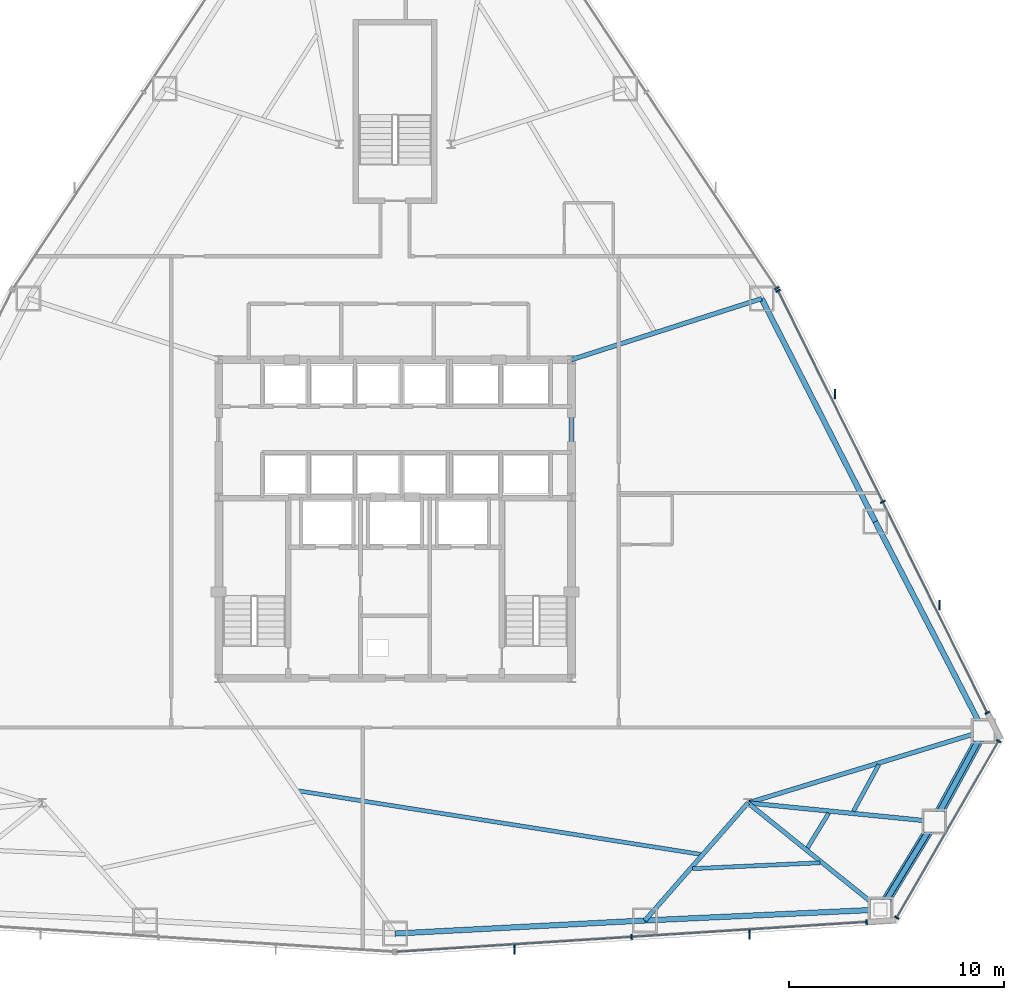
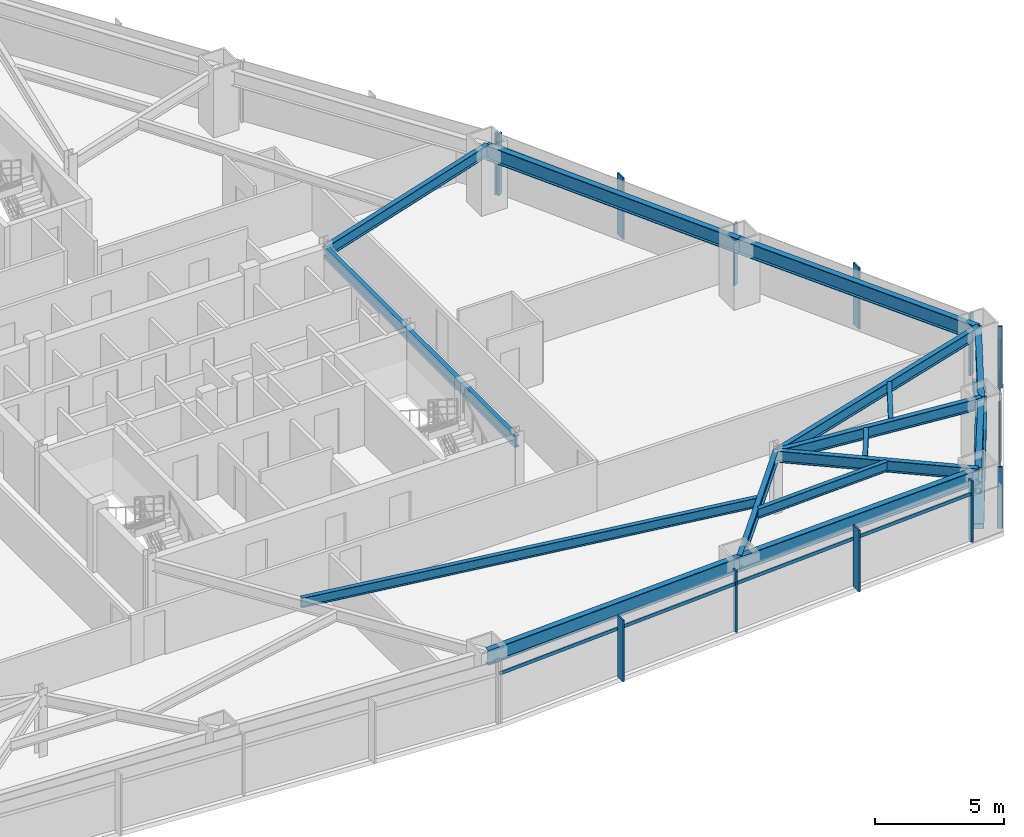
# One storey, part 6 of 12: 18 members, 16 beams, 4 elements without a shape of their own.
"""IFC4 building model written with IfcOpenShell, lengths in metres."""

import ifcopenshell
import ifcopenshell.guid

model = None  # the IFC model being written
_history = None  # IfcOwnerHistory: only IFC2X3 demands one
_inside = {}  # id of a spatial element -> (the spatial element, [elements in it])
_under = {}  # id of a project, library or spatial element -> (it, [spatial elements below it])
_declared = {}  # id of a project -> (the project, [libraries it declares])
_typed = {}  # id of a type object -> (the type object, [elements of that type])
_made_of = {}  # id of a material, layer set ... -> (it, [elements and type objects made of it])


def new_model(schema):
    """Start an empty IFC model of exactly this schema.

    Asked for "IFC4X3", IfcOpenShell would pick the latest addendum, in which some entities
    have other attributes; the version numbers below select the first issue.
    IFC2X3 requires an IfcOwnerHistory on every rooted entity: one is made here for all.
    """
    global model, _history
    if schema == "IFC4X3":
        model = ifcopenshell.file(schema_version=(4, 3, 0, 0))
    else:
        model = ifcopenshell.file(schema=schema)
    _inside.clear()
    _under.clear()
    _declared.clear()
    _typed.clear()
    _made_of.clear()
    _history = None
    if model.schema == "IFC2X3":
        org = make("IfcOrganization", Name="unknown")
        user = make(
            "IfcPersonAndOrganization",
            ThePerson=make("IfcPerson", FamilyName="unknown"),
            TheOrganization=org,
        )
        app = make(
            "IfcApplication",
            ApplicationDeveloper=org,
            Version="unknown",
            ApplicationFullName="unknown",
            ApplicationIdentifier="unknown",
        )
        _history = make(
            "IfcOwnerHistory",
            OwningUser=user,
            OwningApplication=app,
            ChangeAction="ADDED",
            CreationDate=0,
        )
    return model


def make(cls, **values):
    """One entity of the class cls with the attributes given. An attribute that is None is left unset."""
    return model.create_entity(
        cls, **{name: value for name, value in values.items() if value is not None}
    )


def rooted(cls, **values):
    """An entity with a GlobalId (a new one), such as an element, a storey or a relation."""
    return make(cls, GlobalId=ifcopenshell.guid.new(), OwnerHistory=_history, **values)


def si_unit(unit_type, name, prefix=None):
    """IfcSIUnit, for example si_unit("LENGTHUNIT", "METRE", prefix="MILLI")."""
    return make("IfcSIUnit", UnitType=unit_type, Prefix=prefix, Name=name)


def assignment(units):
    """IfcUnitAssignment: the units of a project."""
    return None if units is None else make("IfcUnitAssignment", Units=units)


def point(xyz):
    """IfcCartesianPoint."""
    return None if xyz is None else make("IfcCartesianPoint", Coordinates=xyz)


def direction(xyz):
    """IfcDirection."""
    return None if xyz is None else make("IfcDirection", DirectionRatios=xyz)


def frame(location, z_axis=None, x_axis=None):
    """IfcAxis2Placement3D, a coordinate frame: its origin and axes. An axis left out is left unset."""
    return make(
        "IfcAxis2Placement3D",
        Location=point(location),
        Axis=direction(z_axis),
        RefDirection=direction(x_axis),
    )


def frame_2d(location, x_axis=None):
    """IfcAxis2Placement2D, a coordinate frame in the plane: its origin and x axis."""
    return make(
        "IfcAxis2Placement2D", Location=point(location), RefDirection=direction(x_axis)
    )


def origin():
    """The frame at (0, 0, 0) with its axes left unset."""
    return frame((0.0, 0.0, 0.0))


def origin_2d():
    """The frame at (0, 0) in the plane with its x axis left unset."""
    return frame_2d((0.0, 0.0))


def place(relative_to, where):
    """IfcLocalPlacement: puts the frame where relative to a parent placement (None: the world)."""
    return make(
        "IfcLocalPlacement", PlacementRelTo=relative_to, RelativePlacement=where
    )


def context(
    kind, dimensions, precision=None, world=None, true_north=None, identifier=None
):
    """IfcGeometricRepresentationContext, for example the 3D "Model" context."""
    return make(
        "IfcGeometricRepresentationContext",
        ContextIdentifier=identifier,
        ContextType=kind,
        CoordinateSpaceDimension=dimensions,
        Precision=precision,
        WorldCoordinateSystem=world,
        TrueNorth=true_north,
    )


def subcontext(parent, identifier, kind, view, scale=None):
    """IfcGeometricRepresentationSubContext, for example "Body" below "Model"."""
    return make(
        "IfcGeometricRepresentationSubContext",
        ContextIdentifier=identifier,
        ContextType=kind,
        ParentContext=parent,
        TargetScale=scale,
        TargetView=view,
    )


def project(units=None, contexts=None):
    """IfcProject with its units and contexts."""
    return rooted(
        "IfcProject",
        Name="project",
        RepresentationContexts=contexts,
        UnitsInContext=assignment(units),
    )


def spatial(cls, under=None, at=None, **own):
    """A site, building, storey or space (cls), placed at a placement, below another one or the project."""
    s = rooted(cls, ObjectPlacement=at, **own)
    if under is not None:
        _under.setdefault(under.id(), (under, []))[1].append(s)
    return s


def profile(cls, at=None, kind="AREA", **sizes):
    """A parametric profile (cls). Its sizes go by their IFC names, for example OverallWidth=200.0."""
    return make(cls, ProfileType=kind, Position=at, **sizes)


def rectangle(**sizes):
    """IfcRectangleProfileDef."""
    return profile("IfcRectangleProfileDef", **sizes)


def hollow_rectangle(**sizes):
    """IfcRectangleHollowProfileDef."""
    return profile("IfcRectangleHollowProfileDef", **sizes)


def hollow_circle(**sizes):
    """IfcCircleHollowProfileDef."""
    return profile("IfcCircleHollowProfileDef", **sizes)


def i_section(**sizes):
    """IfcIShapeProfileDef."""
    return profile("IfcIShapeProfileDef", **sizes)


def extrude(swept, where, along, depth):
    """IfcExtrudedAreaSolid: the profile swept, set in the frame where, extruded along a direction by depth."""
    return make(
        "IfcExtrudedAreaSolid",
        SweptArea=swept,
        Position=where,
        ExtrudedDirection=direction(along),
        Depth=depth,
    )


def shape(context_of_items, identifier, shape_type, items):
    """IfcShapeRepresentation: the items that make up one representation, for example the "Body"."""
    return make(
        "IfcShapeRepresentation",
        ContextOfItems=context_of_items,
        RepresentationIdentifier=identifier,
        RepresentationType=shape_type,
        Items=items,
    )


def source(mapping_origin, context_of_items, identifier, shape_type, items):
    """IfcRepresentationMap: a shape defined once, which mapped items show again and again."""
    return make(
        "IfcRepresentationMap",
        MappingOrigin=mapping_origin,
        MappedRepresentation=shape(context_of_items, identifier, shape_type, items),
    )


def transform(
    local_origin,
    x_axis=None,
    y_axis=None,
    z_axis=None,
    scale=None,
    scale2=None,
    scale3=None,
    uniform=True,
):
    """IfcCartesianTransformationOperator3D, or its non-uniform kind. x_axis, y_axis, z_axis: its Axis1, 2, 3."""
    if uniform:
        return make(
            "IfcCartesianTransformationOperator3D",
            Axis1=direction(x_axis),
            Axis2=direction(y_axis),
            LocalOrigin=point(local_origin),
            Scale=scale,
            Axis3=direction(z_axis),
        )
    return make(
        "IfcCartesianTransformationOperator3DnonUniform",
        Axis1=direction(x_axis),
        Axis2=direction(y_axis),
        LocalOrigin=point(local_origin),
        Scale=scale,
        Axis3=direction(z_axis),
        Scale2=scale2,
        Scale3=scale3,
    )


def mapped(mapping_source, mapping_target):
    """IfcMappedItem: shows the shape of a source again, moved by a transform."""
    return make(
        "IfcMappedItem", MappingSource=mapping_source, MappingTarget=mapping_target
    )


def material(Name=None, Category=None):
    """IfcMaterial."""
    return make("IfcMaterial", Name=Name, Category=Category)


def layer(
    of_material, thickness, ventilated=None, Name=None, Category=None, Priority=None
):
    """IfcMaterialLayer: one layer of a wall or slab, of a material (None: an air gap)."""
    return make(
        "IfcMaterialLayer",
        Material=of_material,
        LayerThickness=thickness,
        IsVentilated=ventilated,
        Name=Name,
        Category=Category,
        Priority=Priority,
    )


def layer_set(layers, Name=None):
    """IfcMaterialLayerSet."""
    return make("IfcMaterialLayerSet", MaterialLayers=layers, LayerSetName=Name)


def material_profile(
    of_material, cross_section, Name=None, Category=None, Priority=None
):
    """IfcMaterialProfile: a cross section and its material."""
    return make(
        "IfcMaterialProfile",
        Name=Name,
        Material=of_material,
        Profile=cross_section,
        Priority=Priority,
        Category=Category,
    )


def profile_set(profiles, Name=None, composite=None):
    """IfcMaterialProfileSet."""
    return make(
        "IfcMaterialProfileSet",
        Name=Name,
        MaterialProfiles=profiles,
        CompositeProfile=composite,
    )


def made_of(thing, what):
    """Note that an element or type object is made of a material, layer set ...; save() writes the relation."""
    if what is not None:
        _made_of.setdefault(what.id(), (what, []))[1].append(thing)
    return thing


def type_object(cls, material=None, **own):
    """A type object (cls), such as IfcWallType, which elements share."""
    return made_of(rooted(cls, **own), material)


def type_shapes(of_type, sources):
    """Give a type object the sources (RepresentationMaps) that its elements show as mapped items."""
    of_type.RepresentationMaps = sources


def element(
    cls,
    number,
    at=None,
    inside=None,
    cuts=None,
    type_object=None,
    material=None,
    context=None,
    identifier="Body",
    shape_type=None,
    held_by="IfcProductDefinitionShape",
    body=None,
    shapes=None,
    **own,
):
    """One element of the class cls, such as IfcWall. Its Tag is "e" and its number.

    at: its placement. inside: the storey or other place that contains it. cuts: it is an
    opening in that element (IfcRelVoidsElement). A single representation is given by context,
    identifier, shape_type and body (its items); several are given by shapes. held_by: the class
    of the entity that holds the representations. save() writes the other relations.
    """
    e = rooted(cls, Tag="e%d" % number, ObjectPlacement=at, **own)
    if body is not None:
        shapes = [shape(context, identifier, shape_type, body)]
    if shapes is not None:
        e.Representation = make(held_by, Representations=shapes)
    if inside is not None:
        _inside.setdefault(inside.id(), (inside, []))[1].append(e)
    if cuts is not None:
        rooted(
            "IfcRelVoidsElement", RelatingBuildingElement=cuts, RelatedOpeningElement=e
        )
    if type_object is not None:
        _typed.setdefault(type_object.id(), (type_object, []))[1].append(e)
    return made_of(e, material)


def aggregate(whole, parts):
    """IfcRelAggregates: a whole, such as a stair, and the parts it consists of."""
    return rooted("IfcRelAggregates", RelatingObject=whole, RelatedObjects=parts)


def save(model, path):
    """Write the relations noted so far, then the file.

    IfcRelAggregates (storeys below a building ...), IfcRelContainedInSpatialStructure (elements
    in a storey), IfcRelDefinesByType, IfcRelAssociatesMaterial and IfcRelDeclares: one each for
    every whole, place, type object, material and project.
    """
    for whole, parts in _under.values():
        aggregate(whole, parts)
    for where, things in _inside.values():
        rooted(
            "IfcRelContainedInSpatialStructure",
            RelatedElements=things,
            RelatingStructure=where,
        )
    for kind, things in _typed.values():
        rooted("IfcRelDefinesByType", RelatedObjects=things, RelatingType=kind)
    for what, things in _made_of.values():
        rooted("IfcRelAssociatesMaterial", RelatedObjects=things, RelatingMaterial=what)
    for by, libraries in _declared.values():
        rooted("IfcRelDeclares", RelatingContext=by, RelatedDefinitions=libraries)
    model.write(path)


model = new_model("IFC4")

# Units and contexts
model_context = context("Model", 3, precision=1e-05, world=origin(), true_north=direction((0.0, 1.0)))
body_context = subcontext(model_context, "Body", "Model", "MODEL_VIEW")
ifc_project = project(units=[si_unit("LENGTHUNIT", "METRE"), si_unit("AREAUNIT", "SQUARE_METRE"), si_unit("VOLUMEUNIT", "CUBIC_METRE"), si_unit("PLANEANGLEUNIT", "RADIAN"), si_unit("MASSUNIT", "GRAM", prefix="KILO")], contexts=[model_context])

# Site, building, storey
site_placement = place(None, origin())
site = spatial("IfcSite", under=ifc_project, at=site_placement, CompositionType="ELEMENT")
building_placement = place(site_placement, origin())
building = spatial("IfcBuilding", under=site, at=building_placement, Name="Varakhsha Concourse Tower", CompositionType="ELEMENT")
storey_placement = place(building_placement, frame((0.0, 0.0, 65.60009765625)))
storey = spatial("IfcBuildingStorey", under=building, at=storey_placement, Name="L18", CompositionType="ELEMENT", Elevation=65.60009765625)

# Beams
ifc_material_1 = material(Name="Structural Steel ASTM A992 Grade 50", Category="steel")
ifc_material_profile_1 = material_profile(ifc_material_1, i_section(OverallWidth=0.19091796875, OverallDepth=0.45703125, WebThickness=0.009033203125, FlangeThickness=0.013916015625, at=origin_2d()), Name="W18X50")
ifc_profile_set_1 = profile_set([ifc_material_profile_1], Name="Structural Steel ASTM A992 Grade 50")
beam_type_1 = type_object("IfcBeamType", Name="BM-JST-W18X50", PredefinedType="JOIST", material=ifc_profile_set_1)
beam_1_placement = place(storey_placement, frame((35.5166015625, 11.159912109375, 2.67138671875), z_axis=(0.987773017824, -0.155898894351, 0.0), x_axis=(0.155898894351, 0.987773017824, 0.0)))
element("IfcBeam", 1, at=beam_1_placement, inside=storey, type_object=beam_type_1, Name="BM-TJST-L18-11", PredefinedType="JOIST", context=body_context, shape_type="SweptSolid", body=[
    extrude(i_section(OverallWidth=0.19091796875, OverallDepth=0.45703125, WebThickness=0.009033203125, FlangeThickness=0.013916015625, at=origin_2d()), origin(), (0.0, 0.0, 1.0), 18.900390625),
])
beam_2_placement = place(storey_placement, frame((53.830078125, 7.5458984375, 2.67138671875), z_axis=(0.998935000948, 0.046139612934, 0.0), x_axis=(-0.046139612934, 0.998935000948, 0.0)))
element("IfcBeam", 2, at=beam_2_placement, inside=storey, type_object=beam_type_1, Name="BM-TJST-L18-12", PredefinedType="JOIST", context=body_context, shape_type="SweptSolid", body=[
    extrude(i_section(OverallWidth=0.19091796875, OverallDepth=0.45703125, WebThickness=0.009033203125, FlangeThickness=0.013916015625, at=origin_2d()), origin(), (0.0, 0.0, 1.0), 5.915771484375),
])
beam_3_placement = place(storey_placement, frame((59.16748046875, 8.5126953125, 2.67138671875), z_axis=(0.521303604491, 0.853371286103, 0.0), x_axis=(-0.853371286103, 0.521303604491, 0.0)))
element("IfcBeam", 3, at=beam_3_placement, inside=storey, type_object=beam_type_1, Name="BM-TJST-L18-13", PredefinedType="JOIST", context=body_context, shape_type="SweptSolid", body=[
    extrude(i_section(OverallWidth=0.19091796875, OverallDepth=0.45703125, WebThickness=0.009033203125, FlangeThickness=0.013916015625, at=origin_2d()), origin(), (0.0, 0.0, 1.0), 1.888671875),
])
beam_4_placement = place(storey_placement, frame((61.30078125, 10.211181640625, 2.67138671875), z_axis=(0.478525781107, 0.878073503083, 0.0), x_axis=(-0.878073503083, 0.478525781107, 0.0)))
element("IfcBeam", 4, at=beam_4_placement, inside=storey, type_object=beam_type_1, Name="BM-TJST-L18-14", PredefinedType="JOIST", context=body_context, shape_type="SweptSolid", body=[
    extrude(i_section(OverallWidth=0.19091796875, OverallDepth=0.45703125, WebThickness=0.009033203125, FlangeThickness=0.013916015625, at=origin_2d()), origin(), (0.0, 0.0, 1.0), 2.463623046875),
])
ifc_material_profile_2 = material_profile(ifc_material_1, i_section(OverallWidth=0.2109375, OverallDepth=0.5390625, WebThickness=0.011962890625, FlangeThickness=0.01904296875, at=origin_2d()), Name="W21X73")
ifc_profile_set_2 = profile_set([ifc_material_profile_2], Name="Structural Steel ASTM A992 Grade 50")
beam_type_2 = type_object("IfcBeamType", Name="BM-RAD-W21X73", PredefinedType="BEAM", material=ifc_profile_set_2)
beam_5_placement = place(storey_placement, frame((48.199951171875, 16.39990234375, 2.63037109375), z_axis=(0.0, 1.0, 0.0), x_axis=(-1.0, 0.0, 0.0)))
element("IfcBeam", 5, at=beam_5_placement, inside=storey, type_object=beam_type_2, Name="BM-TCORE-L18-CE", PredefinedType="BEAM", context=body_context, shape_type="SweptSolid", body=[
    extrude(i_section(OverallWidth=0.2109375, OverallDepth=0.5390625, WebThickness=0.011962890625, FlangeThickness=0.01904296875, at=origin_2d()), origin(), (0.0, 0.0, 1.0), 14.800048828125),
])
beam_6_placement = place(storey_placement, frame((56.39990234375, 10.60009765625, 2.63037109375), z_axis=(-0.658904355751, -0.75222672777, 0.0), x_axis=(0.75222672777, -0.658904355751, 0.0)))
element("IfcBeam", 6, at=beam_6_placement, inside=storey, type_object=beam_type_2, Name="L18 Radial Floor Girder 12", PredefinedType="BEAM", context=body_context, shape_type="SweptSolid", body=[
    extrude(i_section(OverallWidth=0.2109375, OverallDepth=0.5390625, WebThickness=0.011962890625, FlangeThickness=0.01904296875, at=origin_2d()), origin(), (0.0, 0.0, 1.0), 7.26220703125),
])
beam_7_placement = place(storey_placement, frame((56.39990234375, 10.60009765625, 2.63037109375), z_axis=(0.779042952089, -0.626970556566, 0.0), x_axis=(0.626970556566, 0.779042952089, 0.0)))
element("IfcBeam", 7, at=beam_7_placement, inside=storey, type_object=beam_type_2, Name="L18 Radial Floor Girder 13", PredefinedType="BEAM", context=body_context, shape_type="SweptSolid", body=[
    extrude(i_section(OverallWidth=0.2109375, OverallDepth=0.5390625, WebThickness=0.011962890625, FlangeThickness=0.01904296875, at=origin_2d()), origin(), (0.0, 0.0, 1.0), 7.90673828125),
])
beam_8_placement = place(storey_placement, frame((56.39990234375, 10.60009765625, 2.63037109375), z_axis=(0.995021064191, -0.099664847443, 0.0), x_axis=(0.099664847443, 0.995021064191, 0.0)))
element("IfcBeam", 8, at=beam_8_placement, inside=storey, type_object=beam_type_2, Name="L18 Radial Floor Girder 14", PredefinedType="BEAM", context=body_context, shape_type="SweptSolid", body=[
    extrude(i_section(OverallWidth=0.2109375, OverallDepth=0.5390625, WebThickness=0.011962890625, FlangeThickness=0.01904296875, at=origin_2d()), origin(), (0.0, 0.0, 1.0), 8.700927734375),
])
beam_9_placement = place(storey_placement, frame((56.39990234375, 10.60009765625, 2.63037109375), z_axis=(0.956467040209, 0.291840369026, 0.0), x_axis=(-0.291840369026, 0.956467040209, 0.0)))
element("IfcBeam", 9, at=beam_9_placement, inside=storey, type_object=beam_type_2, Name="L18 Radial Floor Girder 15", PredefinedType="BEAM", context=body_context, shape_type="SweptSolid", body=[
    extrude(i_section(OverallWidth=0.2109375, OverallDepth=0.5390625, WebThickness=0.011962890625, FlangeThickness=0.01904296875, at=origin_2d()), origin(), (0.0, 0.0, 1.0), 11.448974609375),
])
beam_10_placement = place(storey_placement, frame((48.199951171875, 31.199951171875, 2.63037109375), z_axis=(0.952173002913, 0.305559441882, 0.0), x_axis=(-0.305559441882, 0.952173002913, 0.0)))
element("IfcBeam", 10, at=beam_10_placement, inside=storey, type_object=beam_type_2, Name="L18 Radial Floor Girder 17", PredefinedType="BEAM", context=body_context, shape_type="SweptSolid", body=[
    extrude(i_section(OverallWidth=0.2109375, OverallDepth=0.5390625, WebThickness=0.011962890625, FlangeThickness=0.01904296875, at=origin_2d()), origin(), (0.0, 0.0, 1.0), 9.27880859375),
])
ifc_material_profile_3 = material_profile(ifc_material_1, i_section(OverallWidth=0.25390625, OverallDepth=0.701904296875, WebThickness=0.014892578125, FlangeThickness=0.028076171875, at=origin_2d()), Name="W27X129")
ifc_profile_set_3 = profile_set([ifc_material_profile_3], Name="Structural Steel ASTM A992 Grade 50")
beam_type_3 = type_object("IfcBeamType", Name="BM-SPAN-W27X129", PredefinedType="SPANDREL", material=ifc_profile_set_3)
beam_11_placement = place(storey_placement, frame((40.0, 4.52978515625, 2.548828125), z_axis=(0.998635285896, 0.05222610231, 0.0), x_axis=(-0.05222610231, 0.998635285896, 0.0)))
element("IfcBeam", 11, at=beam_11_placement, inside=storey, type_object=beam_type_3, Name="BM-SPAN-L18-11", PredefinedType="SPANDREL", context=body_context, shape_type="SweptSolid", body=[
    extrude(i_section(OverallWidth=0.25390625, OverallDepth=0.701904296875, WebThickness=0.014892578125, FlangeThickness=0.028076171875, at=origin_2d()), origin(), (0.0, 0.0, 1.0), 11.630615234375),
])
beam_12_placement = place(storey_placement, frame((51.61474609375, 5.13720703125, 2.548828125), z_axis=(0.998934635381, 0.046147526876, 0.0), x_axis=(-0.046147526876, 0.998934635381, 0.0)))
element("IfcBeam", 12, at=beam_12_placement, inside=storey, type_object=beam_type_3, Name="BM-SPAN-L18-12", PredefinedType="SPANDREL", context=body_context, shape_type="SweptSolid", body=[
    extrude(i_section(OverallWidth=0.25390625, OverallDepth=0.701904296875, WebThickness=0.014892578125, FlangeThickness=0.028076171875, at=origin_2d()), origin(), (0.0, 0.0, 1.0), 10.95654296875),
])
for number, where, z_axis, x_axis, name in (
    (13, (62.5595703125, 5.642822265625, 2.548828125), (0.521229514311, 0.853416541562, 0.0), (-0.853416541562, 0.521229514311, 0.0), "BM-SPAN-L18-13"),
    (14, (65.0576171875, 9.73291015625, 2.548828125), (0.478438059968, 0.878121302995, 0.0), (-0.878121302995, 0.478438059968, 0.0), "BM-SPAN-L18-14"),
):
    element("IfcBeam", number, at=place(storey_placement, frame(where, z_axis=z_axis, x_axis=x_axis)), inside=storey, type_object=beam_type_3, Name=name, PredefinedType="SPANDREL", context=body_context, shape_type="SweptSolid", body=[
        extrude(i_section(OverallWidth=0.25390625, OverallDepth=0.701904296875, WebThickness=0.014892578125, FlangeThickness=0.028076171875, at=origin_2d()), origin(), (0.0, 0.0, 1.0), 4.792724609375),
    ])
beam_13_placement = place(storey_placement, frame((67.3505859375, 13.94140625, 2.548828125), z_axis=(-0.459480507345, 0.888187853649, 0.0), x_axis=(-0.888187853649, -0.459480507345, 0.0)))
element("IfcBeam", 15, at=beam_13_placement, inside=storey, type_object=beam_type_3, Name="BM-SPAN-L18-15", PredefinedType="SPANDREL", context=body_context, shape_type="SweptSolid", body=[
    extrude(i_section(OverallWidth=0.25390625, OverallDepth=0.701904296875, WebThickness=0.014892578125, FlangeThickness=0.028076171875, at=origin_2d()), origin(), (0.0, 0.0, 1.0), 10.956298828125),
])
beam_14_placement = place(storey_placement, frame((62.31640625, 23.672607421875, 2.548828125), z_axis=(-0.454093687786, 0.890953939726, 0.0), x_axis=(-0.890953939726, -0.454093687786, 0.0)))
element("IfcBeam", 16, at=beam_14_placement, inside=storey, type_object=beam_type_3, Name="BM-SPAN-L18-16", PredefinedType="SPANDREL", context=body_context, shape_type="SweptSolid", body=[
    extrude(i_section(OverallWidth=0.25390625, OverallDepth=0.701904296875, WebThickness=0.014892578125, FlangeThickness=0.028076171875, at=origin_2d()), origin(), (0.0, 0.0, 1.0), 11.630859375),
])

# Members
ifc_material_2 = material(Name="Structural Steel ASTM A500 Grade C", Category="steel")
ifc_material_profile_4 = material_profile(ifc_material_2, hollow_rectangle(XDim=0.449951171875, YDim=0.449951171875, WallThickness=0.01904296875, at=origin_2d()), Name="HSS 450x450x19")
ifc_profile_set_4 = profile_set([ifc_material_profile_4], Name="Structural Steel ASTM A500 Grade C")
member_type_1 = type_object("IfcMemberType", Name="MB-TUBE-HSS450", PredefinedType="BRACE", material=ifc_profile_set_4)
shared_shape_1 = source(origin(), body_context, "Body", "SweptSolid", [
    extrude(hollow_rectangle(XDim=0.449951171875, YDim=0.449951171875, WallThickness=0.01904296875, at=origin_2d()), origin(), (0.0, 0.0, 1.0), 5.396240234375),
])
type_shapes(member_type_1, [shared_shape_1])
for number, where, z_axis, x_axis, name in (
    (17, (62.5595703125, 5.642822265625, 0.119873046875), (0.462923969744, 0.757952039202, 0.459576005146), (-0.853416541562, 0.521229514311, 0.0), "L18 Wind-Corner Tube Brace B05"),
    (18, (67.3505859375, 13.94140625, 0.119873046875), (-0.424919405831, -0.779893602823, 0.459575311374), (0.878121302995, -0.478438059968, 0.0), "L18 Wind-Corner Tube Brace B06"),
):
    element("IfcMember", number, at=place(storey_placement, frame(where, z_axis=z_axis, x_axis=x_axis)), inside=storey, type_object=member_type_1, Name=name, PredefinedType="BRACE", context=body_context, shape_type="MappedRepresentation", body=[
        mapped(shared_shape_1, transform((0.0, 0.0, 0.0), scale=1.0)),
    ])
ifc_material_profile_5 = material_profile(ifc_material_2, hollow_circle(Radius=0.136474609375, WallThickness=0.011962890625, at=origin_2d()), Name="CHS 273x12")
ifc_profile_set_5 = profile_set([ifc_material_profile_5], Name="Structural Steel ASTM A500 Grade C")
member_type_2 = type_object("IfcMemberType", Name="MB-WIND-CHS273", PredefinedType="COLLAR", material=ifc_profile_set_5)
shared_shape_2 = source(origin(), body_context, "Body", "SweptSolid", [
    extrude(hollow_circle(Radius=0.136474609375, WallThickness=0.011962890625, at=origin_2d()), origin(), (0.0, 0.0, 1.0), 4.792724609375),
])
type_shapes(member_type_2, [shared_shape_2])
member_1_placement = place(storey_placement, frame((62.5595703125, 5.642822265625, 1.7998046875), z_axis=(0.521229514311, 0.853416541562, 0.0), x_axis=(-0.853416541562, 0.521229514311, 0.0)))
element("IfcMember", 19, at=member_1_placement, inside=storey, type_object=member_type_2, Name="L18 Wind-Corner Collar Tie 3", PredefinedType="COLLAR", context=body_context, shape_type="MappedRepresentation", body=[
    mapped(shared_shape_2, transform((0.0, 0.0, 0.0), scale=1.0)),
])

# Curtain wall, member
ifc_material_3 = material(Name="Anodised Bronze Architectural Aluminium AA 6063-T6", Category="aluminium")
ifc_layer = layer(ifc_material_3, 0.219970703125, Name="CW-SYS-02")
ifc_layer_set = layer_set([ifc_layer], Name="Anodised Bronze Architectural Aluminium AA 6063-T6")
curtain_wall_type = type_object("IfcCurtainWallType", Name="CW-SYS-02", PredefinedType="NOTDEFINED", material=ifc_layer_set)
curtain_wall_1_placement = place(storey_placement, origin())
curtain_wall_1 = element("IfcCurtainWall", 20, at=curtain_wall_1_placement, inside=storey, type_object=curtain_wall_type, Name="L18 Crystal Curtain Wall F8", PredefinedType="NOTDEFINED")
ifc_material_profile_6 = material_profile(ifc_material_3, rectangle(XDim=0.06494140625, YDim=0.159912109375, at=origin_2d()), Name="CWT-160X65")
ifc_profile_set_6 = profile_set([ifc_material_profile_6], Name="Anodised Bronze Architectural Aluminium AA 6063-T6")
member_type_3 = type_object("IfcMemberType", Name="CWT-160X65", PredefinedType="USERDEFINED", material=ifc_profile_set_6)
shared_shape_3 = source(origin(), body_context, "Body", "SweptSolid", [
    extrude(rectangle(XDim=0.06494140625, YDim=0.159912109375, at=origin_2d()), origin(), (0.0, 0.0, 1.0), 21.887939453125),
])
member_2_placement = place(storey_placement, frame((57.803466796875, 34.3984375, 2.25), z_axis=(0.444110079116, -0.895972230389, 0.0), x_axis=(0.895972230389, 0.444110079116, 0.0)))
member_2 = element("IfcMember", 21, at=member_2_placement, type_object=member_type_3, Name="CW-L18-F8 Transom 01", ObjectType="TRANSOM", PredefinedType="USERDEFINED", context=body_context, shape_type="MappedRepresentation", body=[
    mapped(shared_shape_3, transform((0.0, 0.0, 0.0), scale=1.0)),
])

curtain_wall_2_placement = place(storey_placement, origin())
curtain_wall_2 = element("IfcCurtainWall", 22, at=curtain_wall_2_placement, inside=storey, type_object=curtain_wall_type, Name="L18 Chamfer Curtain Wall F7", PredefinedType="NOTDEFINED")
shared_shape_4 = source(origin(), body_context, "Body", "SweptSolid", [
    extrude(rectangle(XDim=0.06494140625, YDim=0.159912109375, at=origin_2d()), origin(), (0.0, 0.0, 1.0), 9.474365234375),
])
member_3_placement = place(storey_placement, frame((68.049560546875, 13.4755859375, 2.25), z_axis=(-0.499988638952, -0.866031962989, 0.0), x_axis=(0.866031962989, -0.499988638952, 0.0)))
member_3 = element("IfcMember", 23, at=member_3_placement, type_object=member_type_3, Name="CW-L18-F7 Transom 01", ObjectType="TRANSOM", PredefinedType="USERDEFINED", context=body_context, shape_type="MappedRepresentation", body=[
    mapped(shared_shape_4, transform((0.0, 0.0, 0.0), scale=1.0)),
])

# Curtain wall, members
curtain_wall_3_placement = place(storey_placement, origin())
curtain_wall_3 = element("IfcCurtainWall", 24, at=curtain_wall_3_placement, inside=storey, type_object=curtain_wall_type, Name="L18 Crystal Curtain Wall F6", PredefinedType="NOTDEFINED")
shared_shape_5 = source(origin(), body_context, "Body", "SweptSolid", [
    extrude(rectangle(XDim=0.06494140625, YDim=0.159912109375, at=origin_2d()), origin(), (0.0, 0.0, 1.0), 21.88818359375),
])
type_shapes(member_type_3, [shared_shape_3, shared_shape_4, shared_shape_5])
member_4_placement = place(storey_placement, frame((61.913818359375, 5.069580078125, 2.25), z_axis=(-0.997990374256, -0.063365707537, 0.0), x_axis=(0.063365707537, -0.997990374256, 0.0)))
member_4 = element("IfcMember", 25, at=member_4_placement, type_object=member_type_3, Name="CW-L18-F6 Transom 01", ObjectType="TRANSOM", PredefinedType="USERDEFINED", context=body_context, shape_type="MappedRepresentation", body=[
    mapped(shared_shape_5, transform((0.0, 0.0, 0.0), scale=1.0)),
])
ifc_material_profile_7 = material_profile(ifc_material_3, rectangle(XDim=0.074951171875, YDim=0.219970703125, at=origin_2d()), Name="CWM-220X75")
ifc_profile_set_7 = profile_set([ifc_material_profile_7], Name="Anodised Bronze Architectural Aluminium AA 6063-T6")
member_type_4 = type_object("IfcMemberType", Name="CWM-220X75", PredefinedType="MULLION", material=ifc_profile_set_7)
shared_shape_6 = source(origin(), body_context, "Body", "SweptSolid", [
    extrude(rectangle(XDim=0.074951171875, YDim=0.219970703125, at=origin_2d()), origin(), (0.0, 0.0, 1.0), 2.89990234375),
])
type_shapes(member_type_4, [shared_shape_6])
member_5_placement = place(storey_placement, frame((61.913818359375, 5.069580078125, 0.0), z_axis=(0.0, 0.0, 1.0), x_axis=(-0.997989623922, -0.063377523961, 0.0)))
member_5 = element("IfcMember", 26, at=member_5_placement, type_object=member_type_4, Name="CW-L18-F6 Mullion 00", PredefinedType="MULLION", context=body_context, shape_type="MappedRepresentation", body=[
    mapped(shared_shape_6, transform((0.0, 0.0, 0.0), scale=1.0)),
])
member_6_placement = place(storey_placement, frame((50.99169921875, 4.376220703125, 0.0), z_axis=(0.0, 0.0, 1.0), x_axis=(-0.997989623922, -0.063377523961, 0.0)))
member_6 = element("IfcMember", 27, at=member_6_placement, type_object=member_type_4, Name="CW-L18-F6 Mullion 01", PredefinedType="MULLION", context=body_context, shape_type="MappedRepresentation", body=[
    mapped(shared_shape_6, transform((0.0, 0.0, 0.0), scale=1.0)),
])

# Member
member_7_placement = place(storey_placement, frame((68.049560546875, 13.4755859375, 0.0), z_axis=(0.0, 0.0, 1.0), x_axis=(-0.499995465495, -0.866028021766, 0.0)))
member_7 = element("IfcMember", 28, at=member_7_placement, type_object=member_type_4, Name="CW-L18-F7 Mullion 00", PredefinedType="MULLION", context=body_context, shape_type="MappedRepresentation", body=[
    mapped(shared_shape_6, transform((0.0, 0.0, 0.0), scale=1.0)),
])

member_8_placement = place(storey_placement, frame((63.3125, 5.2705078125, 0.0), z_axis=(0.0, 0.0, 1.0), x_axis=(-0.499995465495, -0.866028021766, 0.0)))
member_8 = element("IfcMember", 29, at=member_8_placement, type_object=member_type_4, Name="CW-L18-F7 Mullion 01", PredefinedType="MULLION", context=body_context, shape_type="MappedRepresentation", body=[
    mapped(shared_shape_6, transform((0.0, 0.0, 0.0), scale=1.0)),
])

aggregate(curtain_wall_2, [member_7, member_8, member_3])

member_9_placement = place(storey_placement, frame((57.803466796875, 34.3984375, 0.0), z_axis=(0.0, 0.0, 1.0), x_axis=(0.444109829949, -0.895972353894, 0.0)))
member_9 = element("IfcMember", 30, at=member_9_placement, type_object=member_type_4, Name="CW-L18-F8 Mullion 00", PredefinedType="MULLION", context=body_context, shape_type="MappedRepresentation", body=[
    mapped(shared_shape_6, transform((0.0, 0.0, 0.0), scale=1.0)),
])

member_10_placement = place(storey_placement, frame((62.663818359375, 24.5927734375, 0.0), z_axis=(0.0, 0.0, 1.0), x_axis=(0.444109829949, -0.895972353894, 0.0)))
member_10 = element("IfcMember", 31, at=member_10_placement, type_object=member_type_4, Name="CW-L18-F8 Mullion 01", PredefinedType="MULLION", context=body_context, shape_type="MappedRepresentation", body=[
    mapped(shared_shape_6, transform((0.0, 0.0, 0.0), scale=1.0)),
])

member_11_placement = place(storey_placement, frame((67.524169921875, 14.787353515625, 0.0), z_axis=(0.0, 0.0, 1.0), x_axis=(0.444109829949, -0.895972353894, 0.0)))
member_11 = element("IfcMember", 32, at=member_11_placement, type_object=member_type_4, Name="CW-L18-F8 Mullion 02", PredefinedType="MULLION", context=body_context, shape_type="MappedRepresentation", body=[
    mapped(shared_shape_6, transform((0.0, 0.0, 0.0), scale=1.0)),
])

# Curtain wall, member
curtain_wall_4_placement = place(storey_placement, origin())
curtain_wall_4 = element("IfcCurtainWall", 33, at=curtain_wall_4_placement, inside=storey, type_object=curtain_wall_type, Name="L18 Crystal Curtain Wall F9", PredefinedType="NOTDEFINED")
member_12_placement = place(storey_placement, frame((57.73388671875, 34.51904296875, 0.0), z_axis=(0.0, 0.0, 1.0), x_axis=(0.553879904586, -0.832596571753, 0.0)))
member_12 = element("IfcMember", 34, at=member_12_placement, type_object=member_type_4, Name="CW-L18-F9 Mullion 02", PredefinedType="MULLION", context=body_context, shape_type="MappedRepresentation", body=[
    mapped(shared_shape_6, transform((0.0, 0.0, 0.0), scale=1.0)),
])
aggregate(curtain_wall_4, [member_12])

# Member
ifc_material_profile_8 = material_profile(ifc_material_3, rectangle(XDim=0.06494140625, YDim=0.449951171875, at=origin_2d()), Name="FIN-BRZ-450")
ifc_profile_set_8 = profile_set([ifc_material_profile_8], Name="Anodised Bronze Architectural Aluminium AA 6063-T6")
member_type_5 = type_object("IfcMemberType", Name="FIN-BRZ-450", PredefinedType="USERDEFINED", material=ifc_profile_set_8)
shared_shape_7 = source(origin(), body_context, "Body", "SweptSolid", [
    extrude(rectangle(XDim=0.06494140625, YDim=0.449951171875, at=origin_2d()), origin(), (0.0, 0.0, 1.0), 2.89990234375),
])
type_shapes(member_type_5, [shared_shape_7])
member_13_placement = place(storey_placement, frame((56.468017578125, 4.4833984375, 0.0), z_axis=(0.0, 0.0, 1.0), x_axis=(1.0, 0.0, 0.0)))
member_13 = element("IfcMember", 35, at=member_13_placement, type_object=member_type_5, Name="L18 Anodised Bronze Solar Fin F6-1", ObjectType="SOLAR FIN", PredefinedType="USERDEFINED", context=body_context, shape_type="MappedRepresentation", body=[
    mapped(shared_shape_7, transform((0.0, 0.0, 0.0), scale=1.0)),
])

member_14_placement = place(storey_placement, frame((45.5458984375, 3.789794921875, 0.0), z_axis=(0.0, 0.0, 1.0), x_axis=(1.0, 0.0, 0.0)))
member_14 = element("IfcMember", 36, at=member_14_placement, type_object=member_type_5, Name="L18 Anodised Bronze Solar Fin F6-2", ObjectType="SOLAR FIN", PredefinedType="USERDEFINED", context=body_context, shape_type="MappedRepresentation", body=[
    mapped(shared_shape_7, transform((0.0, 0.0, 0.0), scale=1.0)),
])

aggregate(curtain_wall_3, [member_5, member_6, member_4, member_13, member_14])

member_15_placement = place(storey_placement, frame((60.44873046875, 29.602294921875, 0.0), z_axis=(0.0, 0.0, 1.0), x_axis=(1.0, 0.0, 0.0)))
member_15 = element("IfcMember", 37, at=member_15_placement, type_object=member_type_5, Name="L18 Anodised Bronze Solar Fin F8-1", ObjectType="SOLAR FIN", PredefinedType="USERDEFINED", context=body_context, shape_type="MappedRepresentation", body=[
    mapped(shared_shape_7, transform((0.0, 0.0, 0.0), scale=1.0)),
])

member_16_placement = place(storey_placement, frame((65.30908203125, 19.796630859375, 0.0), z_axis=(0.0, 0.0, 1.0), x_axis=(1.0, 0.0, 0.0)))
member_16 = element("IfcMember", 38, at=member_16_placement, type_object=member_type_5, Name="L18 Anodised Bronze Solar Fin F8-2", ObjectType="SOLAR FIN", PredefinedType="USERDEFINED", context=body_context, shape_type="MappedRepresentation", body=[
    mapped(shared_shape_7, transform((0.0, 0.0, 0.0), scale=1.0)),
])

aggregate(curtain_wall_1, [member_9, member_10, member_11, member_2, member_15, member_16])

save(model, "model.ifc")
